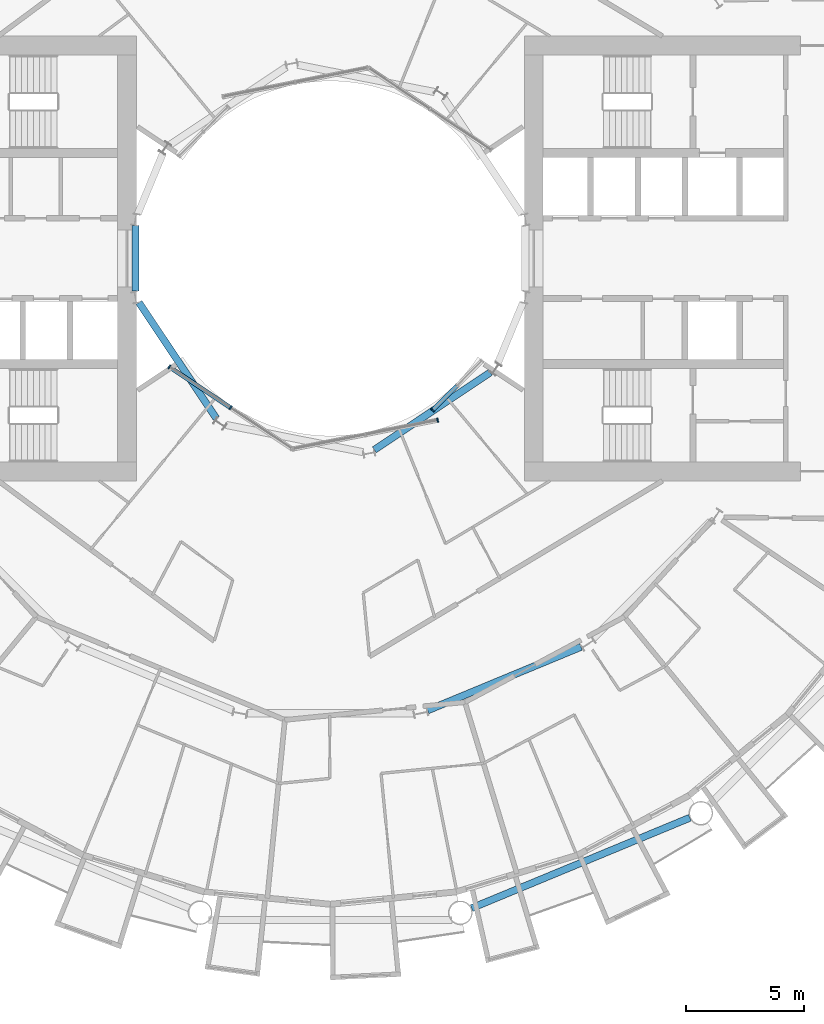
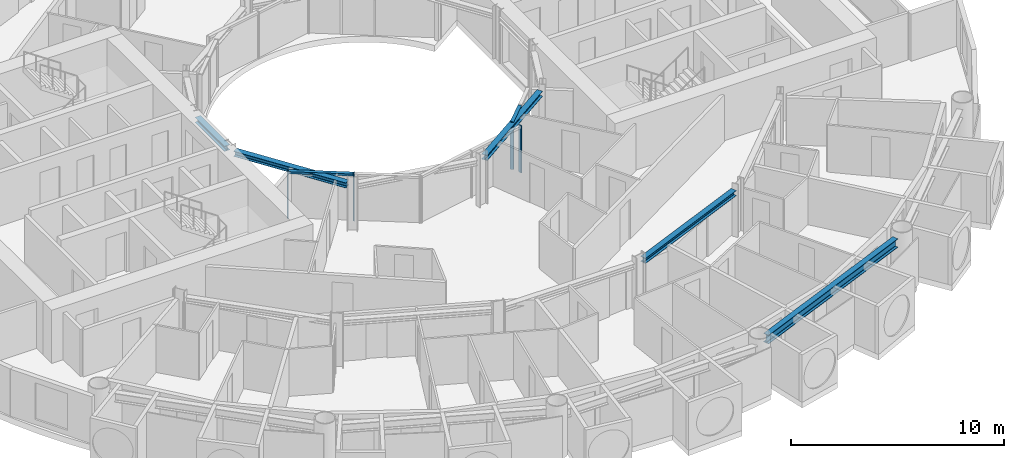
# One storey, part 5 of 26: 6 members, 5 beams, 3 elements without a shape of their own.
"""IFC4 building model written with IfcOpenShell, lengths in metres."""

from ifc_helpers import new_model, si_unit, direction, frame, origin, origin_2d, place, context, subcontext, project, spatial, rectangle, i_section, extrude, material, layer, layer_set, material_profile, profile_set, type_object, element, aggregate, save


model = new_model("IFC4")

# Units and contexts
model_context = context("Model", 3, precision=1e-05, world=origin(), true_north=direction((0.0, 1.0)))
body_context = subcontext(model_context, "Body", "Model", "MODEL_VIEW")
ifc_project = project(units=[si_unit("LENGTHUNIT", "METRE"), si_unit("AREAUNIT", "SQUARE_METRE"), si_unit("VOLUMEUNIT", "CUBIC_METRE"), si_unit("PLANEANGLEUNIT", "RADIAN"), si_unit("MASSUNIT", "GRAM", prefix="KILO")], contexts=[model_context])

# Site, building, storey
site_placement = place(None, origin())
site = spatial("IfcSite", under=ifc_project, at=site_placement, CompositionType="ELEMENT")
building_placement = place(site_placement, origin())
building = spatial("IfcBuilding", under=site, at=building_placement, Name="Maasbend Ring Residences", CompositionType="ELEMENT")
storey_placement = place(building_placement, frame((0.0, 0.0, 47.199951171875)))
storey = spatial("IfcBuildingStorey", under=building, at=storey_placement, Name="L13", CompositionType="ELEMENT", Elevation=47.199951171875)

# Curtain wall, members
ifc_material_1 = material(Name="Aluminium and clear glass", Category="aluminium")
ifc_layer = layer(ifc_material_1, 0.179931640625)
ifc_layer_set = layer_set([ifc_layer], Name="CW-W")
curtain_wall_type = type_object("IfcCurtainWallType", Name="CW-W", PredefinedType="NOTDEFINED", material=ifc_layer_set)
curtain_wall_1_placement = place(storey_placement, origin())
curtain_wall_1 = element("IfcCurtainWall", 1, at=curtain_wall_1_placement, inside=storey, type_object=curtain_wall_type, Name="Well curtain wall S1", PredefinedType="NOTDEFINED")
ifc_material_2 = material(Name="Aluminium 6063-T6", Category="aluminium")
ifc_material_profile_1 = material_profile(ifc_material_2, rectangle(XDim=0.179931640625, YDim=0.06005859375, at=origin_2d()), Name="AL 180x60")
ifc_profile_set_1 = profile_set([ifc_material_profile_1], Name="Aluminium 6063-T6")
member_type_1 = type_object("IfcMemberType", Name="CWM-W", PredefinedType="MULLION", material=ifc_profile_set_1)
member_1_placement = place(storey_placement, frame((-6.805908203125, -4.580810546875, 0.0), z_axis=(0.0, 0.0, 1.0), x_axis=(0.55557023302, 0.831469612303, 0.0)))
member_1 = element("IfcMember", 2, at=member_1_placement, type_object=member_type_1, Name="Mullion well face", PredefinedType="MULLION", context=body_context, shape_type="SweptSolid", body=[
    extrude(rectangle(XDim=0.179931640625, YDim=0.06005859375, at=origin_2d()), origin(), (0.0, 0.0, 1.0), 2.699951171875),
])
member_2_placement = place(storey_placement, frame((-4.216796875, -6.310791015625, 0.0), z_axis=(0.0, 0.0, 1.0), x_axis=(0.55557023302, 0.831469612303, 0.0)))
member_2 = element("IfcMember", 3, at=member_2_placement, type_object=member_type_1, Name="Mullion well face", PredefinedType="MULLION", context=body_context, shape_type="SweptSolid", body=[
    extrude(rectangle(XDim=0.179931640625, YDim=0.06005859375, at=origin_2d()), origin(), (0.0, 0.0, 1.0), 2.699951171875),
])

# Curtain wall, member
curtain_wall_2_placement = place(storey_placement, origin())
curtain_wall_2 = element("IfcCurtainWall", 4, at=curtain_wall_2_placement, inside=storey, type_object=curtain_wall_type, Name="Well curtain wall S2", PredefinedType="NOTDEFINED")
member_3_placement = place(storey_placement, frame((4.53466796875, -6.836669921875, 0.0), z_axis=(0.0, 0.0, 1.0), x_axis=(-0.195090322016, 0.980785280403, 0.0)))
member_3 = element("IfcMember", 5, at=member_3_placement, type_object=member_type_1, Name="Mullion well face", PredefinedType="MULLION", context=body_context, shape_type="SweptSolid", body=[
    extrude(rectangle(XDim=0.179931640625, YDim=0.06005859375, at=origin_2d()), origin(), (0.0, 0.0, 1.0), 2.699951171875),
])
aggregate(curtain_wall_2, [member_3])

curtain_wall_3_placement = place(storey_placement, origin())
curtain_wall_3 = element("IfcCurtainWall", 6, at=curtain_wall_3_placement, inside=storey, type_object=curtain_wall_type, Name="Well curtain wall S3", PredefinedType="NOTDEFINED")
member_4_placement = place(storey_placement, frame((4.320556640625, -6.413330078125, 0.0), z_axis=(0.0, 0.0, 1.0), x_axis=(-0.707106781187, 0.707106781187, 0.0)))
member_4 = element("IfcMember", 7, at=member_4_placement, type_object=member_type_1, Name="Mullion well face", PredefinedType="MULLION", context=body_context, shape_type="SweptSolid", body=[
    extrude(rectangle(XDim=0.179931640625, YDim=0.06005859375, at=origin_2d()), origin(), (0.0, 0.0, 1.0), 2.699951171875),
])

# Member
ifc_material_3 = material(Name="Aluminium 6063-T6", Category="aluminium")
ifc_material_profile_2 = material_profile(ifc_material_3, rectangle(XDim=0.179931640625, YDim=0.1201171875, at=origin_2d()), Name="AL 180x120")
ifc_profile_set_2 = profile_set([ifc_material_profile_2], Name="Aluminium 6063-T6")
member_type_2 = type_object("IfcMemberType", Name="CWT-W", PredefinedType="USERDEFINED", material=ifc_profile_set_2)
member_5_placement = place(storey_placement, frame((-6.781005859375, -4.59765625, 2.64013671875), z_axis=(0.831496422459, -0.555530106689, 0.0), x_axis=(0.555530106689, 0.831496422459, 0.0)))
member_5 = element("IfcMember", 8, at=member_5_placement, type_object=member_type_2, Name="Transom well face", ObjectType="TRANSOM", PredefinedType="USERDEFINED", context=body_context, shape_type="SweptSolid", body=[
    extrude(rectangle(XDim=0.179931640625, YDim=0.1201171875, at=origin_2d()), origin(), (0.0, 0.0, 1.0), 3.053955078125),
])

aggregate(curtain_wall_1, [member_1, member_2, member_5])

member_6_placement = place(storey_placement, frame((4.341796875, -6.39208984375, 2.64013671875), z_axis=(0.707106781187, 0.707106781187, 0.0), x_axis=(-0.707106781187, 0.707106781187, 0.0)))
member_6 = element("IfcMember", 9, at=member_6_placement, type_object=member_type_2, Name="Transom well face", ObjectType="TRANSOM", PredefinedType="USERDEFINED", context=body_context, shape_type="SweptSolid", body=[
    extrude(rectangle(XDim=0.179931640625, YDim=0.1201171875, at=origin_2d()), origin(), (0.0, 0.0, 1.0), 1.419677734375),
])

aggregate(curtain_wall_3, [member_4, member_6])

# Beams
ifc_material_4 = material(Name="Steel S355J2", Category="steel")
ifc_material_profile_3 = material_profile(ifc_material_4, i_section(OverallWidth=0.300048828125, OverallDepth=0.300048828125, WebThickness=0.010986328125, FlangeThickness=0.01904296875, FilletRadius=0.027099609375, at=origin_2d()), Name="HEB 300")
ifc_profile_set_3 = profile_set([ifc_material_profile_3], Name="Steel S355J2")
beam_type_1 = type_object("IfcBeamType", Name="Corridor ring beam HEB 300", PredefinedType="BEAM", material=ifc_profile_set_3)
beam_1_placement = place(storey_placement, frame((4.11572265625, -19.102294921875, 2.550048828125), z_axis=(0.923886196809, 0.38266734293, 0.0), x_axis=(-0.38266734293, 0.923886196809, 0.0)))
element("IfcBeam", 10, at=beam_1_placement, inside=storey, type_object=beam_type_1, Name="Corridor ring beam", PredefinedType="BEAM", context=body_context, shape_type="SweptSolid", body=[
    extrude(i_section(OverallWidth=0.300048828125, OverallDepth=0.300048828125, WebThickness=0.010986328125, FlangeThickness=0.01904296875, FilletRadius=0.027099609375, at=origin_2d()), origin(), (0.0, 0.0, 1.0), 7.015380859375),
])
ifc_material_5 = material(Name="Steel S355J2", Category="steel")
ifc_material_profile_4 = material_profile(ifc_material_5, i_section(OverallWidth=0.300048828125, OverallDepth=0.5, WebThickness=0.014404296875, FlangeThickness=0.028076171875, FilletRadius=0.027099609375, at=origin_2d()), Name="HEB 500")
ifc_profile_set_4 = profile_set([ifc_material_profile_4], Name="Steel S355J2")
beam_type_2 = type_object("IfcBeamType", Name="Spandrel ring beam HEB 500", PredefinedType="SPANDREL", material=ifc_profile_set_4)
beam_2_placement = place(storey_placement, frame((5.970703125, -27.463623046875, 2.449951171875), z_axis=(0.923886337442, 0.382667003395, 0.0), x_axis=(-0.382667003395, 0.923886337442, 0.0)))
element("IfcBeam", 11, at=beam_2_placement, inside=storey, type_object=beam_type_2, Name="Spandrel ring beam", PredefinedType="SPANDREL", context=body_context, shape_type="SweptSolid", body=[
    extrude(i_section(OverallWidth=0.300048828125, OverallDepth=0.5, WebThickness=0.014404296875, FlangeThickness=0.028076171875, FilletRadius=0.027099609375, at=origin_2d()), origin(), (0.0, 0.0, 1.0), 9.9873046875),
])
ifc_material_6 = material(Name="Steel S355J2", Category="steel")
ifc_material_profile_5 = material_profile(ifc_material_6, i_section(OverallWidth=0.300048828125, OverallDepth=0.300048828125, WebThickness=0.010986328125, FlangeThickness=0.01904296875, FilletRadius=0.027099609375, at=origin_2d()), Name="HEB 300")
ifc_profile_set_5 = profile_set([ifc_material_profile_5], Name="Steel S355J2")
beam_type_3 = type_object("IfcBeamType", Name="Well edge beam HEB 300", PredefinedType="BEAM", material=ifc_profile_set_5)
beam_3_placement = place(storey_placement, frame((-8.238525390625, 1.3837890625, 2.550048828125), z_axis=(0.0, -1.0, 0.0), x_axis=(1.0, 0.0, 0.0)))
element("IfcBeam", 12, at=beam_3_placement, inside=storey, type_object=beam_type_3, Name="Well edge beam", PredefinedType="BEAM", context=body_context, shape_type="SweptSolid", body=[
    extrude(i_section(OverallWidth=0.300048828125, OverallDepth=0.300048828125, WebThickness=0.010986328125, FlangeThickness=0.01904296875, FilletRadius=0.027099609375, at=origin_2d()), origin(), (0.0, 0.0, 1.0), 2.767578125),
])
for number, where, z_axis, x_axis, name in (
    (13, (-8.08837890625, -1.86376953125, 2.550048828125), (0.555589782054, -0.831456549723, 0.0), (0.831456549723, 0.555589782054, 0.0), "Well edge beam"),
    (14, (1.86376953125, -8.08837890625, 2.550048828125), (0.831456549723, 0.555589782054, 0.0), (-0.555589782054, 0.831456549723, 0.0), "Well edge beam"),
):
    element("IfcBeam", number, at=place(storey_placement, frame(where, z_axis=z_axis, x_axis=x_axis)), inside=storey, type_object=beam_type_3, Name=name, PredefinedType="BEAM", context=body_context, shape_type="SweptSolid", body=[
        extrude(i_section(OverallWidth=0.300048828125, OverallDepth=0.300048828125, WebThickness=0.010986328125, FlangeThickness=0.01904296875, FilletRadius=0.027099609375, at=origin_2d()), origin(), (0.0, 0.0, 1.0), 5.887939453125),
    ])

save(model, "model.ifc")
